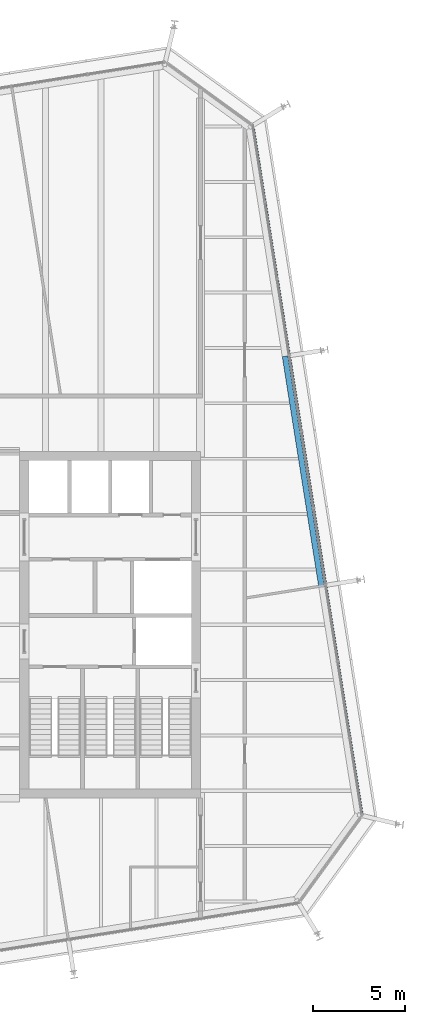
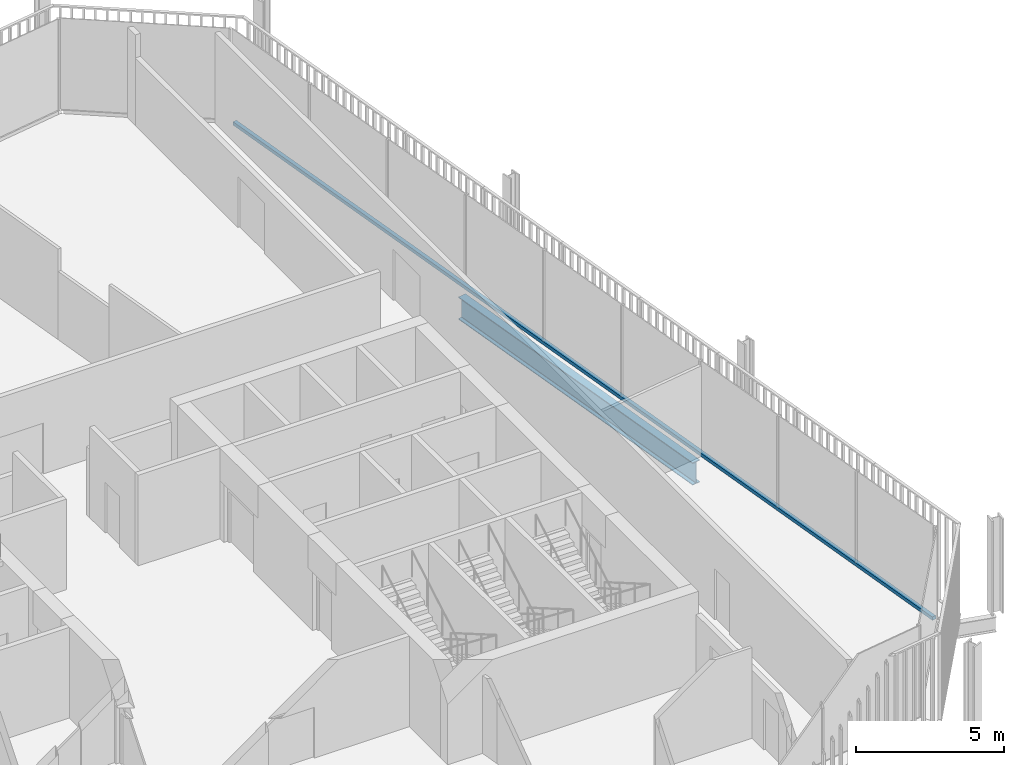
# One storey, part 9 of 20: 1 beam, 1 member, 1 element without a shape of its own.
"""IFC4 building model written with IfcOpenShell, lengths in metres."""

import ifcopenshell
import ifcopenshell.guid

model = None  # the IFC model being written
_history = None  # IfcOwnerHistory: only IFC2X3 demands one
_inside = {}  # id of a spatial element -> (the spatial element, [elements in it])
_under = {}  # id of a project, library or spatial element -> (it, [spatial elements below it])
_declared = {}  # id of a project -> (the project, [libraries it declares])
_typed = {}  # id of a type object -> (the type object, [elements of that type])
_made_of = {}  # id of a material, layer set ... -> (it, [elements and type objects made of it])


def new_model(schema):
    """Start an empty IFC model of exactly this schema.

    Asked for "IFC4X3", IfcOpenShell would pick the latest addendum, in which some entities
    have other attributes; the version numbers below select the first issue.
    IFC2X3 requires an IfcOwnerHistory on every rooted entity: one is made here for all.
    """
    global model, _history
    if schema == "IFC4X3":
        model = ifcopenshell.file(schema_version=(4, 3, 0, 0))
    else:
        model = ifcopenshell.file(schema=schema)
    _inside.clear()
    _under.clear()
    _declared.clear()
    _typed.clear()
    _made_of.clear()
    _history = None
    if model.schema == "IFC2X3":
        org = make("IfcOrganization", Name="unknown")
        user = make(
            "IfcPersonAndOrganization",
            ThePerson=make("IfcPerson", FamilyName="unknown"),
            TheOrganization=org,
        )
        app = make(
            "IfcApplication",
            ApplicationDeveloper=org,
            Version="unknown",
            ApplicationFullName="unknown",
            ApplicationIdentifier="unknown",
        )
        _history = make(
            "IfcOwnerHistory",
            OwningUser=user,
            OwningApplication=app,
            ChangeAction="ADDED",
            CreationDate=0,
        )
    return model


def make(cls, **values):
    """One entity of the class cls with the attributes given. An attribute that is None is left unset."""
    return model.create_entity(
        cls, **{name: value for name, value in values.items() if value is not None}
    )


def rooted(cls, **values):
    """An entity with a GlobalId (a new one), such as an element, a storey or a relation."""
    return make(cls, GlobalId=ifcopenshell.guid.new(), OwnerHistory=_history, **values)


def si_unit(unit_type, name, prefix=None):
    """IfcSIUnit, for example si_unit("LENGTHUNIT", "METRE", prefix="MILLI")."""
    return make("IfcSIUnit", UnitType=unit_type, Prefix=prefix, Name=name)


def assignment(units):
    """IfcUnitAssignment: the units of a project."""
    return None if units is None else make("IfcUnitAssignment", Units=units)


def point(xyz):
    """IfcCartesianPoint."""
    return None if xyz is None else make("IfcCartesianPoint", Coordinates=xyz)


def direction(xyz):
    """IfcDirection."""
    return None if xyz is None else make("IfcDirection", DirectionRatios=xyz)


def frame(location, z_axis=None, x_axis=None):
    """IfcAxis2Placement3D, a coordinate frame: its origin and axes. An axis left out is left unset."""
    return make(
        "IfcAxis2Placement3D",
        Location=point(location),
        Axis=direction(z_axis),
        RefDirection=direction(x_axis),
    )


def frame_2d(location, x_axis=None):
    """IfcAxis2Placement2D, a coordinate frame in the plane: its origin and x axis."""
    return make(
        "IfcAxis2Placement2D", Location=point(location), RefDirection=direction(x_axis)
    )


def origin():
    """The frame at (0, 0, 0) with its axes left unset."""
    return frame((0.0, 0.0, 0.0))


def origin_2d():
    """The frame at (0, 0) in the plane with its x axis left unset."""
    return frame_2d((0.0, 0.0))


def place(relative_to, where):
    """IfcLocalPlacement: puts the frame where relative to a parent placement (None: the world)."""
    return make(
        "IfcLocalPlacement", PlacementRelTo=relative_to, RelativePlacement=where
    )


def context(
    kind, dimensions, precision=None, world=None, true_north=None, identifier=None
):
    """IfcGeometricRepresentationContext, for example the 3D "Model" context."""
    return make(
        "IfcGeometricRepresentationContext",
        ContextIdentifier=identifier,
        ContextType=kind,
        CoordinateSpaceDimension=dimensions,
        Precision=precision,
        WorldCoordinateSystem=world,
        TrueNorth=true_north,
    )


def subcontext(parent, identifier, kind, view, scale=None):
    """IfcGeometricRepresentationSubContext, for example "Body" below "Model"."""
    return make(
        "IfcGeometricRepresentationSubContext",
        ContextIdentifier=identifier,
        ContextType=kind,
        ParentContext=parent,
        TargetScale=scale,
        TargetView=view,
    )


def project(units=None, contexts=None):
    """IfcProject with its units and contexts."""
    return rooted(
        "IfcProject",
        Name="project",
        RepresentationContexts=contexts,
        UnitsInContext=assignment(units),
    )


def spatial(cls, under=None, at=None, **own):
    """A site, building, storey or space (cls), placed at a placement, below another one or the project."""
    s = rooted(cls, ObjectPlacement=at, **own)
    if under is not None:
        _under.setdefault(under.id(), (under, []))[1].append(s)
    return s


def profile(cls, at=None, kind="AREA", **sizes):
    """A parametric profile (cls). Its sizes go by their IFC names, for example OverallWidth=200.0."""
    return make(cls, ProfileType=kind, Position=at, **sizes)


def rectangle(**sizes):
    """IfcRectangleProfileDef."""
    return profile("IfcRectangleProfileDef", **sizes)


def i_section(**sizes):
    """IfcIShapeProfileDef."""
    return profile("IfcIShapeProfileDef", **sizes)


def extrude(swept, where, along, depth):
    """IfcExtrudedAreaSolid: the profile swept, set in the frame where, extruded along a direction by depth."""
    return make(
        "IfcExtrudedAreaSolid",
        SweptArea=swept,
        Position=where,
        ExtrudedDirection=direction(along),
        Depth=depth,
    )


def shape(context_of_items, identifier, shape_type, items):
    """IfcShapeRepresentation: the items that make up one representation, for example the "Body"."""
    return make(
        "IfcShapeRepresentation",
        ContextOfItems=context_of_items,
        RepresentationIdentifier=identifier,
        RepresentationType=shape_type,
        Items=items,
    )


def material(Name=None, Category=None):
    """IfcMaterial."""
    return make("IfcMaterial", Name=Name, Category=Category)


def layer(
    of_material, thickness, ventilated=None, Name=None, Category=None, Priority=None
):
    """IfcMaterialLayer: one layer of a wall or slab, of a material (None: an air gap)."""
    return make(
        "IfcMaterialLayer",
        Material=of_material,
        LayerThickness=thickness,
        IsVentilated=ventilated,
        Name=Name,
        Category=Category,
        Priority=Priority,
    )


def layer_set(layers, Name=None):
    """IfcMaterialLayerSet."""
    return make("IfcMaterialLayerSet", MaterialLayers=layers, LayerSetName=Name)


def material_profile(
    of_material, cross_section, Name=None, Category=None, Priority=None
):
    """IfcMaterialProfile: a cross section and its material."""
    return make(
        "IfcMaterialProfile",
        Name=Name,
        Material=of_material,
        Profile=cross_section,
        Priority=Priority,
        Category=Category,
    )


def profile_set(profiles, Name=None, composite=None):
    """IfcMaterialProfileSet."""
    return make(
        "IfcMaterialProfileSet",
        Name=Name,
        MaterialProfiles=profiles,
        CompositeProfile=composite,
    )


def made_of(thing, what):
    """Note that an element or type object is made of a material, layer set ...; save() writes the relation."""
    if what is not None:
        _made_of.setdefault(what.id(), (what, []))[1].append(thing)
    return thing


def type_object(cls, material=None, **own):
    """A type object (cls), such as IfcWallType, which elements share."""
    return made_of(rooted(cls, **own), material)


def element(
    cls,
    number,
    at=None,
    inside=None,
    cuts=None,
    type_object=None,
    material=None,
    context=None,
    identifier="Body",
    shape_type=None,
    held_by="IfcProductDefinitionShape",
    body=None,
    shapes=None,
    **own,
):
    """One element of the class cls, such as IfcWall. Its Tag is "e" and its number.

    at: its placement. inside: the storey or other place that contains it. cuts: it is an
    opening in that element (IfcRelVoidsElement). A single representation is given by context,
    identifier, shape_type and body (its items); several are given by shapes. held_by: the class
    of the entity that holds the representations. save() writes the other relations.
    """
    e = rooted(cls, Tag="e%d" % number, ObjectPlacement=at, **own)
    if body is not None:
        shapes = [shape(context, identifier, shape_type, body)]
    if shapes is not None:
        e.Representation = make(held_by, Representations=shapes)
    if inside is not None:
        _inside.setdefault(inside.id(), (inside, []))[1].append(e)
    if cuts is not None:
        rooted(
            "IfcRelVoidsElement", RelatingBuildingElement=cuts, RelatedOpeningElement=e
        )
    if type_object is not None:
        _typed.setdefault(type_object.id(), (type_object, []))[1].append(e)
    return made_of(e, material)


def aggregate(whole, parts):
    """IfcRelAggregates: a whole, such as a stair, and the parts it consists of."""
    return rooted("IfcRelAggregates", RelatingObject=whole, RelatedObjects=parts)


def save(model, path):
    """Write the relations noted so far, then the file.

    IfcRelAggregates (storeys below a building ...), IfcRelContainedInSpatialStructure (elements
    in a storey), IfcRelDefinesByType, IfcRelAssociatesMaterial and IfcRelDeclares: one each for
    every whole, place, type object, material and project.
    """
    for whole, parts in _under.values():
        aggregate(whole, parts)
    for where, things in _inside.values():
        rooted(
            "IfcRelContainedInSpatialStructure",
            RelatedElements=things,
            RelatingStructure=where,
        )
    for kind, things in _typed.values():
        rooted("IfcRelDefinesByType", RelatedObjects=things, RelatingType=kind)
    for what, things in _made_of.values():
        rooted("IfcRelAssociatesMaterial", RelatedObjects=things, RelatingMaterial=what)
    for by, libraries in _declared.values():
        rooted("IfcRelDeclares", RelatingContext=by, RelatedDefinitions=libraries)
    model.write(path)


model = new_model("IFC4")

# Units and contexts
model_context = context("Model", 3, precision=1e-05, world=origin(), true_north=direction((0.0, 1.0)))
body_context = subcontext(model_context, "Body", "Model", "MODEL_VIEW")
ifc_project = project(units=[si_unit("LENGTHUNIT", "METRE"), si_unit("AREAUNIT", "SQUARE_METRE"), si_unit("VOLUMEUNIT", "CUBIC_METRE"), si_unit("PLANEANGLEUNIT", "RADIAN"), si_unit("MASSUNIT", "GRAM", prefix="KILO")], contexts=[model_context])

# Site, building, storey
site_placement = place(None, origin())
site = spatial("IfcSite", under=ifc_project, at=site_placement, CompositionType="ELEMENT")
building_placement = place(site_placement, origin())
building = spatial("IfcBuilding", under=site, at=building_placement, Name="Millrace Tower", CompositionType="ELEMENT")
storey_placement = place(building_placement, frame((0.0, 0.0, 232.0)))
storey = spatial("IfcBuildingStorey", under=building, at=storey_placement, Name="L53", CompositionType="ELEMENT", Elevation=232.0)

# Curtain wall, member
ifc_material_1 = material(Name="Aluminium and glass", Category="aluminium")
ifc_layer = layer(ifc_material_1, 0.14990234375)
ifc_layer_set = layer_set([ifc_layer], Name="Aluminium and glass")
curtain_wall_type = type_object("IfcCurtainWallType", Name="CW-1 office vision curtain wall", PredefinedType="NOTDEFINED", material=ifc_layer_set)
curtain_wall_placement = place(storey_placement, origin())
curtain_wall = element("IfcCurtainWall", 1, at=curtain_wall_placement, inside=storey, type_object=curtain_wall_type, Name="Curtain wall D-F04 L53", PredefinedType="NOTDEFINED")
ifc_material_2 = material(Name="Aluminium", Category="aluminium")
ifc_material_profile_1 = material_profile(ifc_material_2, rectangle(XDim=0.14990234375, YDim=0.139892578125, at=origin_2d()))
ifc_profile_set_1 = profile_set([ifc_material_profile_1], Name="Aluminium")
member_type = type_object("IfcMemberType", Name="CW-1 office vision curtain wall transom", PredefinedType="USERDEFINED", material=ifc_profile_set_1)
member_placement = place(storey_placement, frame((23.1318359375, -10.208740234375, 0.070068359375), z_axis=(-0.156432359726, 0.987688674042, 0.0), x_axis=(-0.987688674042, -0.156432359726, 0.0)))
member = element("IfcMember", 2, at=member_placement, type_object=member_type, Name="CW1 transom D-F04.1", ObjectType="TRANSOM", PredefinedType="USERDEFINED", context=body_context, shape_type="SweptSolid", body=[
    extrude(rectangle(XDim=0.14990234375, YDim=0.139892578125, at=origin_2d()), origin(), (0.0, 0.0, 1.0), 37.599853515625),
])
aggregate(curtain_wall, [member])

# Beam
ifc_material_3 = material(Name="Steel ASTM A992 Grade 50", Category="steel")
ifc_material_profile_2 = material_profile(ifc_material_3, i_section(OverallWidth=0.307373046875, OverallDepth=0.927001953125, WebThickness=0.01953125, FlangeThickness=0.031982421875, FilletRadius=0.01904296875, at=origin_2d()))
ifc_profile_set_2 = profile_set([ifc_material_profile_2], Name="Steel ASTM A992 Grade 50")
beam_type = type_object("IfcBeamType", Name="Ring beam medium span W36x194", PredefinedType="SPANDREL", material=ifc_profile_set_2)
beam_placement = place(storey_placement, frame((18.9794921875, 14.54638671875, -0.62353515625), z_axis=(0.1564441342, -0.987686809102, 0.0), x_axis=(0.987686809102, 0.1564441342, 0.0)))
element("IfcBeam", 3, at=beam_placement, inside=storey, type_object=beam_type, Name="RNG-D-L53-S1-10", PredefinedType="SPANDREL", context=body_context, shape_type="SweptSolid", body=[
    extrude(i_section(OverallWidth=0.307373046875, OverallDepth=0.927001953125, WebThickness=0.01953125, FlangeThickness=0.031982421875, FilletRadius=0.01904296875, at=origin_2d()), origin(), (0.0, 0.0, 1.0), 12.599853515625),
])

save(model, "model.ifc")
